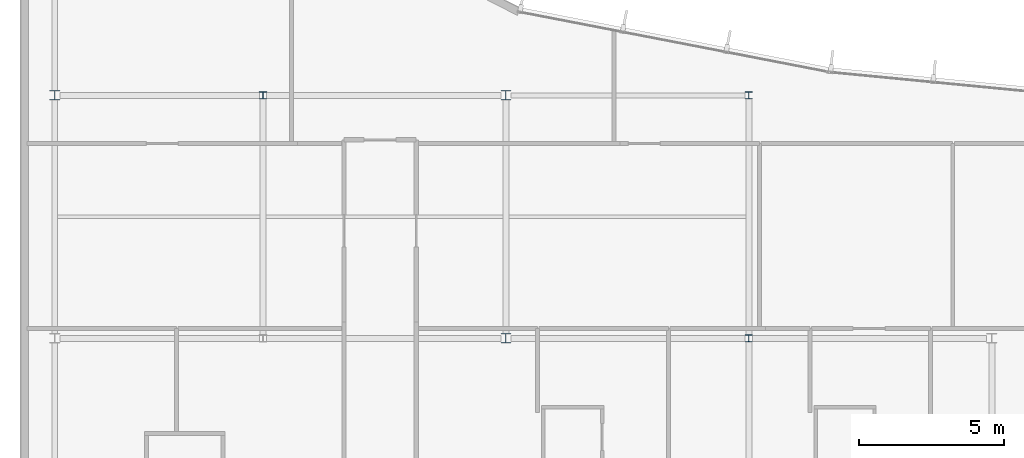
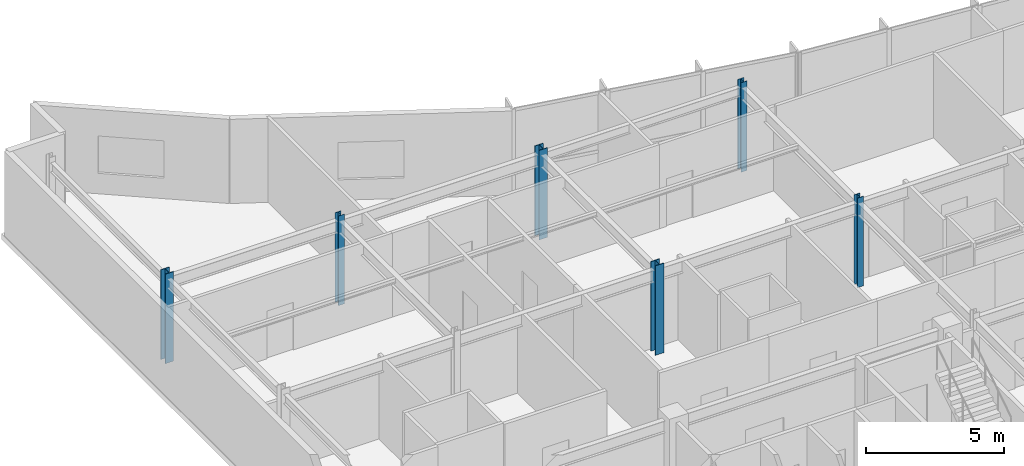
# One storey, part 2 of 15: 6 columns.
"""IFC4 building model written with IfcOpenShell, lengths in metres."""

from ifc_helpers import new_model, si_unit, direction, frame, origin, origin_2d, place, context, subcontext, project, spatial, i_section, extrude, material, material_profile, profile_set, type_object, element, save


model = new_model("IFC4")

# Units and contexts
model_context = context("Model", 3, precision=1e-05, world=origin(), true_north=direction((0.0, 1.0)))
body_context = subcontext(model_context, "Body", "Model", "MODEL_VIEW")
ifc_project = project(units=[si_unit("LENGTHUNIT", "METRE"), si_unit("AREAUNIT", "SQUARE_METRE"), si_unit("VOLUMEUNIT", "CUBIC_METRE"), si_unit("PLANEANGLEUNIT", "RADIAN"), si_unit("MASSUNIT", "GRAM", prefix="KILO")], contexts=[model_context])

# Site, building, storey
site_placement = place(None, origin())
site = spatial("IfcSite", under=ifc_project, at=site_placement, CompositionType="ELEMENT")
building_placement = place(site_placement, origin())
building = spatial("IfcBuilding", under=site, at=building_placement, Name="Varnakote Quay Hospital", CompositionType="ELEMENT")
storey_placement = place(building_placement, frame((0.0, 0.0, 276.300048828125)))
storey = spatial("IfcBuildingStorey", under=building, at=storey_placement, Name="L68", CompositionType="ELEMENT", Elevation=276.300048828125)

# Columns
ifc_material_1 = material(Name="Structural steel AS/NZS 3679.1 Grade 350 L0 (fy 340 MPa)", Category="steel")
ifc_material_profile_1 = material_profile(ifc_material_1, i_section(OverallWidth=0.25390625, OverallDepth=0.25390625, WebThickness=0.008544921875, FlangeThickness=0.01416015625, FilletRadius=0.0126953125, at=origin_2d()), Name="250UC72.9")
ifc_profile_set_1 = profile_set([ifc_material_profile_1], Name="Structural steel AS/NZS 3679.1 Grade 350 L0 (fy 340 MPa)")
column_type_1 = type_object("IfcColumnType", Name="COL-STL-250UC72-9", PredefinedType="COLUMN", material=ifc_profile_set_1)
for number, where, z_axis, x_axis, name in (
    (1, (25.199951171875, 20.39990234375, 0.0), (0.0, 0.0, 1.0), (1.0, 0.0, 0.0), "L68 Structural Column C-25-20"),
    (2, (8.39990234375, 28.800048828125, 0.0), (0.0, 0.0, 1.0), (1.0, 0.0, 0.0), "L68 Structural Column C-8-29"),
    (3, (25.199951171875, 28.800048828125, 0.0), (0.0, 0.0, 1.0), (1.0, 0.0, 0.0), "L68 Structural Column C-25-29"),
):
    element("IfcColumn", number, at=place(storey_placement, frame(where, z_axis=z_axis, x_axis=x_axis)), inside=storey, type_object=column_type_1, Name=name, PredefinedType="COLUMN", context=body_context, shape_type="SweptSolid", body=[
        extrude(i_section(OverallWidth=0.25390625, OverallDepth=0.25390625, WebThickness=0.008544921875, FlangeThickness=0.01416015625, FilletRadius=0.0126953125, at=origin_2d()), origin(), (0.0, 0.0, 1.0), 3.949951171875),
    ])
ifc_material_2 = material(Name="Structural steel AS/NZS 3678 Grade 350 (fy 340 MPa)", Category="steel")
ifc_material_profile_2 = material_profile(ifc_material_2, i_section(OverallWidth=0.35009765625, OverallDepth=0.340087890625, WebThickness=0.01611328125, FlangeThickness=0.028076171875, at=origin_2d()), Name="350WC197")
ifc_profile_set_2 = profile_set([ifc_material_profile_2], Name="Structural steel AS/NZS 3678 Grade 350 (fy 340 MPa)")
column_type_2 = type_object("IfcColumnType", Name="COL-STL-350WC197", PredefinedType="COLUMN", material=ifc_profile_set_2)
for number, where, z_axis, x_axis, name in (
    (4, (16.800048828125, 20.39990234375, 0.0), (0.0, 0.0, 1.0), (1.0, 0.0, 0.0), "L68 Structural Column C-17-20"),
    (5, (1.199951171875, 28.800048828125, 0.0), (0.0, 0.0, 1.0), (1.0, 0.0, 0.0), "L68 Structural Column C-1-29"),
    (6, (16.800048828125, 28.800048828125, 0.0), (0.0, 0.0, 1.0), (1.0, 0.0, 0.0), "L68 Structural Column C-17-29"),
):
    element("IfcColumn", number, at=place(storey_placement, frame(where, z_axis=z_axis, x_axis=x_axis)), inside=storey, type_object=column_type_2, Name=name, PredefinedType="COLUMN", context=body_context, shape_type="SweptSolid", body=[
        extrude(i_section(OverallWidth=0.35009765625, OverallDepth=0.340087890625, WebThickness=0.01611328125, FlangeThickness=0.028076171875, at=origin_2d()), origin(), (0.0, 0.0, 1.0), 3.949951171875),
    ])

save(model, "model.ifc")
